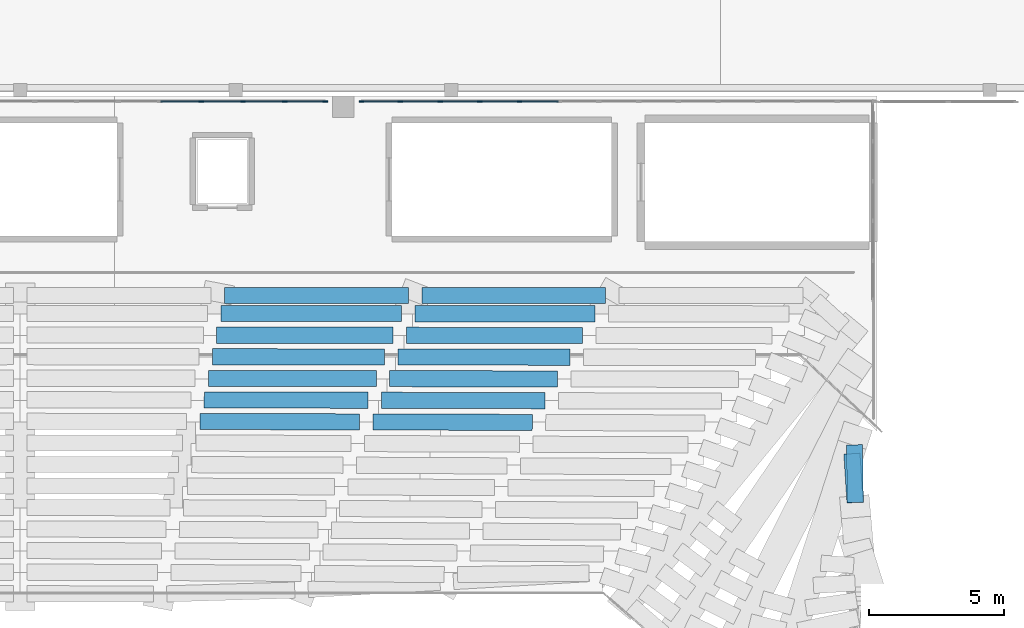
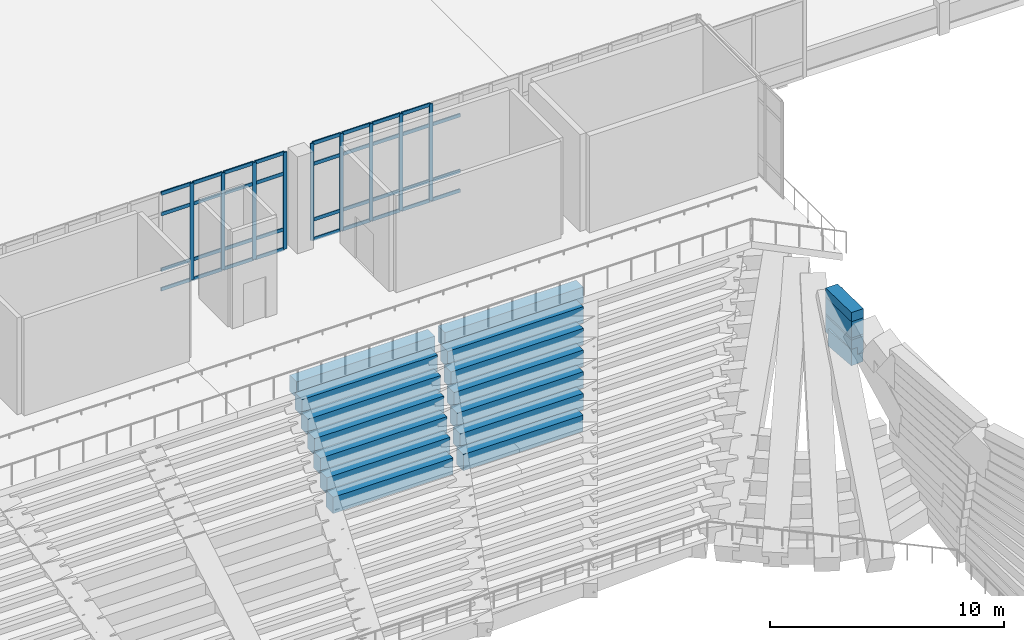
# One storey, part 27 of 55: 44 members, 19 beams, 2 elements without a shape of their own.
"""IFC4 building model written with IfcOpenShell, lengths in metres."""

from ifc_helpers import new_model, si_unit, derived_unit, direction, frame, origin, origin_2d, place, context, subcontext, project, spatial, rectangle, extrude, material, layer, layer_set, material_profile, profile_set, type_object, element, aggregate, save


model = new_model("IFC4")

# Units and contexts
model_context = context("Model", 3, precision=1e-05, world=origin(), true_north=direction((0.0, 1.0)))
body_context = subcontext(model_context, "Body", "Model", "MODEL_VIEW")
ifc_project = project(units=[si_unit("LENGTHUNIT", "METRE"), si_unit("AREAUNIT", "SQUARE_METRE"), si_unit("VOLUMEUNIT", "CUBIC_METRE"), si_unit("PLANEANGLEUNIT", "RADIAN"), si_unit("MASSUNIT", "GRAM", prefix="KILO"), derived_unit("THERMALTRANSMITTANCEUNIT", [(si_unit("MASSUNIT", "GRAM", prefix="KILO"), 1), (si_unit("TIMEUNIT", "SECOND"), -3), (si_unit("THERMODYNAMICTEMPERATUREUNIT", "KELVIN"), -1)])], contexts=[model_context])

# Site, building, storey
site_placement = place(None, origin())
site = spatial("IfcSite", under=ifc_project, at=site_placement, CompositionType="ELEMENT")
building_placement = place(site_placement, origin())
building = spatial("IfcBuilding", under=site, at=building_placement, Name="Valcora Ridge Arena", CompositionType="ELEMENT")
storey_placement = place(building_placement, frame((0.0, 0.0, 21.0)))
storey = spatial("IfcBuildingStorey", under=building, at=storey_placement, Name="L04", CompositionType="ELEMENT", Elevation=21.0)

# Beams
ifc_material_1 = material(Name="Concrete C40/50", Category="concrete")
ifc_material_profile_1 = material_profile(ifc_material_1, rectangle(XDim=0.60009765625, YDim=0.85009765625, at=origin_2d()), Name="RC 600x850")
ifc_profile_set_1 = profile_set([ifc_material_profile_1], Name="Concrete C40/50")
beam_type = type_object("IfcBeamType", Name="TY-BEAM-B-RC600-X", PredefinedType="BEAM", material=ifc_profile_set_1)
beam_1_placement = place(storey_placement, frame((77.009765625, 96.078125, -4.385009765625), z_axis=(-0.999994812156, 0.003221127208, 0.0), x_axis=(-0.003221127208, -0.999994812156, 0.0)))
element("IfcBeam", 1, at=beam_1_placement, inside=storey, type_object=beam_type, Name="B-RC600-X BEM-RU3-B-RC600-X-0357", PredefinedType="BEAM", context=body_context, shape_type="SweptSolid", body=[
    extrude(rectangle(XDim=0.60009765625, YDim=0.85009765625, at=origin_2d()), origin(), (0.0, 0.0, 1.0), 5.911865234375),
])
beam_2_placement = place(storey_placement, frame((70.597900390625, 96.098388671875, -4.385009765625), z_axis=(-0.999996836757, 0.002515248517, 0.0), x_axis=(-0.002515248517, -0.999996836757, 0.0)))
element("IfcBeam", 2, at=beam_2_placement, inside=storey, type_object=beam_type, Name="B-RC600-X BEM-RU3-B-RC600-X-0358", PredefinedType="BEAM", context=body_context, shape_type="SweptSolid", body=[
    extrude(rectangle(XDim=0.60009765625, YDim=0.85009765625, at=origin_2d()), origin(), (0.0, 0.0, 1.0), 5.9208984375),
])
beam_3_placement = place(storey_placement, frame((77.476806640625, 96.885009765625, -3.905029296875), z_axis=(-0.999996581566, 0.002614738236, 0.0), x_axis=(-0.002614738236, -0.999996581566, 0.0)))
element("IfcBeam", 3, at=beam_3_placement, inside=storey, type_object=beam_type, Name="B-RC600-X BEM-RU3-B-RC600-X-0387", PredefinedType="BEAM", context=body_context, shape_type="SweptSolid", body=[
    extrude(rectangle(XDim=0.60009765625, YDim=0.85009765625, at=origin_2d()), origin(), (0.0, 0.0, 1.0), 6.069091796875),
])
beam_4_placement = place(storey_placement, frame((70.90771484375, 96.902099609375, -3.905029296875), z_axis=(-0.999997982127, 0.002008915549, 0.0), x_axis=(-0.002008915549, -0.999997982127, 0.0)))
element("IfcBeam", 4, at=beam_4_placement, inside=storey, type_object=beam_type, Name="B-RC600-X BEM-RU3-B-RC600-X-0388", PredefinedType="BEAM", context=body_context, shape_type="SweptSolid", body=[
    extrude(rectangle(XDim=0.60009765625, YDim=0.85009765625, at=origin_2d()), origin(), (0.0, 0.0, 1.0), 6.076416015625),
])
beam_5_placement = place(storey_placement, frame((88.9921875, 93.103759765625, -3.425048828125), z_axis=(-0.064127468457, 0.997941715627, 0.0), x_axis=(-0.997941715627, -0.064127468457, 0.0)))
element("IfcBeam", 5, at=beam_5_placement, inside=storey, type_object=beam_type, Name="B-RC600-X BEM-RU3-B-RC600-X-0416", PredefinedType="BEAM", context=body_context, shape_type="SweptSolid", body=[
    extrude(rectangle(XDim=0.60009765625, YDim=0.85009765625, at=origin_2d()), origin(), (0.0, 0.0, 1.0), 1.81591796875),
])
beam_6_placement = place(storey_placement, frame((77.943603515625, 97.692138671875, -3.425048828125), z_axis=(-0.999997920969, 0.002039131481, 0.0), x_axis=(-0.002039131481, -0.999997920969, 0.0)))
element("IfcBeam", 6, at=beam_6_placement, inside=storey, type_object=beam_type, Name="B-RC600-X BEM-RU3-B-RC600-X-0419", PredefinedType="BEAM", context=body_context, shape_type="SweptSolid", body=[
    extrude(rectangle(XDim=0.60009765625, YDim=0.85009765625, at=origin_2d()), origin(), (0.0, 0.0, 1.0), 6.225830078125),
])
beam_7_placement = place(storey_placement, frame((71.2177734375, 97.705810546875, -3.425048828125), z_axis=(-0.999998772211, 0.001567027771, 0.0), x_axis=(-0.001567027771, -0.999998772211, 0.0)))
element("IfcBeam", 7, at=beam_7_placement, inside=storey, type_object=beam_type, Name="B-RC600-X BEM-RU3-B-RC600-X-0420", PredefinedType="BEAM", context=body_context, shape_type="SweptSolid", body=[
    extrude(rectangle(XDim=0.60009765625, YDim=0.85009765625, at=origin_2d()), origin(), (0.0, 0.0, 1.0), 6.23193359375),
])
beam_8_placement = place(storey_placement, frame((89.00439453125, 93.104248046875, -2.945068359375), z_axis=(-0.015601745455, 0.999878285362, 0.0), x_axis=(-0.999878285362, -0.015601745455, 0.0)))
element("IfcBeam", 8, at=beam_8_placement, inside=storey, type_object=beam_type, Name="B-RC600-X BEM-RU3-B-RC600-X-0448", PredefinedType="BEAM", context=body_context, shape_type="SweptSolid", body=[
    extrude(rectangle(XDim=0.60009765625, YDim=0.85009765625, at=origin_2d()), origin(), (0.0, 0.0, 1.0), 2.143798828125),
])
beam_9_placement = place(storey_placement, frame((78.41064453125, 98.4990234375, -2.945068359375), z_axis=(-0.999998887361, 0.001491736406, 0.0), x_axis=(-0.001491736406, -0.999998887361, 0.0)))
element("IfcBeam", 9, at=beam_9_placement, inside=storey, type_object=beam_type, Name="B-RC600-X BEM-RU3-B-RC600-X-0451", PredefinedType="BEAM", context=body_context, shape_type="SweptSolid", body=[
    extrude(rectangle(XDim=0.60009765625, YDim=0.85009765625, at=origin_2d()), origin(), (0.0, 0.0, 1.0), 6.3828125),
])
beam_10_placement = place(storey_placement, frame((71.52783203125, 98.50927734375, -2.945068359375), z_axis=(-0.999999342589, 0.00114665674, 0.0), x_axis=(-0.00114665674, -0.999999342589, 0.0)))
element("IfcBeam", 10, at=beam_10_placement, inside=storey, type_object=beam_type, Name="B-RC600-X BEM-RU3-B-RC600-X-0452", PredefinedType="BEAM", context=body_context, shape_type="SweptSolid", body=[
    extrude(rectangle(XDim=0.60009765625, YDim=0.85009765625, at=origin_2d()), origin(), (0.0, 0.0, 1.0), 6.387451171875),
])
beam_11_placement = place(storey_placement, frame((89.00439453125, 93.104248046875, -2.465087890625), z_axis=(-0.015601745455, 0.999878285362, 0.0), x_axis=(-0.999878285362, -0.015601745455, 0.0)))
element("IfcBeam", 11, at=beam_11_placement, inside=storey, type_object=beam_type, Name="B-RC600-X BEM-RU3-B-RC600-X-0480", PredefinedType="BEAM", context=body_context, shape_type="SweptSolid", body=[
    extrude(rectangle(XDim=0.60009765625, YDim=0.85009765625, at=origin_2d()), origin(), (0.0, 0.0, 1.0), 2.143798828125),
])
beam_12_placement = place(storey_placement, frame((78.877685546875, 99.30615234375, -2.465087890625), z_axis=(-0.999999528949, 0.00097061962, 0.0), x_axis=(-0.00097061962, -0.999999528949, 0.0)))
element("IfcBeam", 12, at=beam_12_placement, inside=storey, type_object=beam_type, Name="B-RC600-X BEM-RU3-B-RC600-X-0483", PredefinedType="BEAM", context=body_context, shape_type="SweptSolid", body=[
    extrude(rectangle(XDim=0.60009765625, YDim=0.85009765625, at=origin_2d()), origin(), (0.0, 0.0, 1.0), 6.539794921875),
])
beam_13_placement = place(storey_placement, frame((71.837890625, 99.31298828125, -2.465087890625), z_axis=(-0.999999721542, 0.000746268449, 0.0), x_axis=(-0.000746268449, -0.999999721542, 0.0)))
element("IfcBeam", 13, at=beam_13_placement, inside=storey, type_object=beam_type, Name="B-RC600-X BEM-RU3-B-RC600-X-0484", PredefinedType="BEAM", context=body_context, shape_type="SweptSolid", body=[
    extrude(rectangle(XDim=0.60009765625, YDim=0.85009765625, at=origin_2d()), origin(), (0.0, 0.0, 1.0), 6.54296875),
])
beam_14_placement = place(storey_placement, frame((89.00439453125, 93.104248046875, -1.985107421875), z_axis=(-0.015601745455, 0.999878285362, 0.0), x_axis=(-0.999878285362, -0.015601745455, 0.0)))
element("IfcBeam", 14, at=beam_14_placement, inside=storey, type_object=beam_type, Name="B-RC600-X BEM-RU3-B-RC600-X-0512", PredefinedType="BEAM", context=body_context, shape_type="SweptSolid", body=[
    extrude(rectangle(XDim=0.60009765625, YDim=0.85009765625, at=origin_2d()), origin(), (0.0, 0.0, 1.0), 2.143798828125),
])
beam_15_placement = place(storey_placement, frame((79.3447265625, 100.113037109375, -1.985107421875), z_axis=(-0.999999887702, 0.000473916319, 0.0), x_axis=(-0.000473916319, -0.999999887702, 0.0)))
element("IfcBeam", 15, at=beam_15_placement, inside=storey, type_object=beam_type, Name="B-RC600-X BEM-RU3-B-RC600-X-0515", PredefinedType="BEAM", context=body_context, shape_type="SweptSolid", body=[
    extrude(rectangle(XDim=0.60009765625, YDim=0.85009765625, at=origin_2d()), origin(), (0.0, 0.0, 1.0), 6.697021484375),
])
beam_16_placement = place(storey_placement, frame((72.147705078125, 100.116455078125, -1.985107421875), z_axis=(-0.999999933575, 0.000364484595, 0.0), x_axis=(-0.000364484595, -0.999999933575, 0.0)))
element("IfcBeam", 16, at=beam_16_placement, inside=storey, type_object=beam_type, Name="B-RC600-X BEM-RU3-B-RC600-X-0516", PredefinedType="BEAM", context=body_context, shape_type="SweptSolid", body=[
    extrude(rectangle(XDim=0.60009765625, YDim=0.85009765625, at=origin_2d()), origin(), (0.0, 0.0, 1.0), 6.6982421875),
])
beam_17_placement = place(storey_placement, frame((89.00439453125, 93.104248046875, -1.5048828125), z_axis=(-0.015601745455, 0.999878285362, 0.0), x_axis=(-0.999878285362, -0.015601745455, 0.0)))
element("IfcBeam", 17, at=beam_17_placement, inside=storey, type_object=beam_type, Name="B-RC600-X BEM-RU3-B-RC600-X-0544", PredefinedType="BEAM", context=body_context, shape_type="SweptSolid", body=[
    extrude(rectangle(XDim=0.60009765625, YDim=0.85009765625, at=origin_2d()), origin(), (0.0, 0.0, 1.0), 2.143798828125),
])
beam_18_placement = place(storey_placement, frame((79.7373046875, 100.79150390625, -1.5048828125), z_axis=(-0.999999908012, -0.000428923719, 0.0), x_axis=(0.000428923719, -0.999999908012, 0.0)))
element("IfcBeam", 18, at=beam_18_placement, inside=storey, type_object=beam_type, Name="B-RC600-X BEM-RU3-B-RC600-X-0547", PredefinedType="BEAM", context=body_context, shape_type="SweptSolid", body=[
    extrude(rectangle(XDim=0.60009765625, YDim=0.85009765625, at=origin_2d()), origin(), (0.0, 0.0, 1.0), 6.830322265625),
])
beam_19_placement = place(storey_placement, frame((72.406982421875, 100.788330078125, -1.5048828125), z_axis=(-0.999999959099, -0.000286010499, 0.0), x_axis=(0.000286010499, -0.999999959099, 0.0)))
element("IfcBeam", 19, at=beam_19_placement, inside=storey, type_object=beam_type, Name="B-RC600-X BEM-RU3-B-RC600-X-0548", PredefinedType="BEAM", context=body_context, shape_type="SweptSolid", body=[
    extrude(rectangle(XDim=0.60009765625, YDim=0.85009765625, at=origin_2d()), origin(), (0.0, 0.0, 1.0), 6.828857421875),
])

# Curtain wall, members
ifc_material_2 = material(Name="Anodised dark bronze architectural aluminium 6063-T6", Category="aluminium")
ifc_layer_1 = layer(ifc_material_2, 0.179931640625, Name="Anodised dark bronze architectural aluminium 6063-T6")
ifc_layer_set_1 = layer_set([ifc_layer_1], Name="Anodised dark bronze architectural aluminium 6063-T6")
curtain_wall_type_1 = type_object("IfcCurtainWallType", Name="TY-CURTAINWALL-CW-V1-GOTH-247X51", PredefinedType="NOTDEFINED", material=ifc_layer_set_1)
curtain_wall_1_placement = place(storey_placement, origin())
curtain_wall_1 = element("IfcCurtainWall", 20, at=curtain_wall_1_placement, inside=storey, type_object=curtain_wall_type_1, Name="CW-V1-GOTH-247X51 CW-0159", PredefinedType="NOTDEFINED")
ifc_material_profile_2 = material_profile(ifc_material_2, rectangle(XDim=0.06005859375, YDim=0.179931640625, at=origin_2d()), Name="ALU MULLION 60x180")
ifc_profile_set_2 = profile_set([ifc_material_profile_2], Name="Anodised dark bronze architectural aluminium 6063-T6")
member_type_1 = type_object("IfcMemberType", Name="TY-MEM-CWM-60x180", PredefinedType="MULLION", material=ifc_profile_set_2)
member_1_placement = place(storey_placement, frame((64.72509765625, 108.0, 0.0), z_axis=(0.0, 0.0, 1.0), x_axis=(0.0, 1.0, 0.0)))
member_1 = element("IfcMember", 21, at=member_1_placement, type_object=member_type_1, Name="CW-0159/CWM-60x180/M13", PredefinedType="MULLION", context=body_context, shape_type="SweptSolid", body=[
    extrude(rectangle(XDim=0.06005859375, YDim=0.179931640625, at=origin_2d()), origin(), (0.0, 0.0, 1.0), 5.06005859375),
])
member_2_placement = place(storey_placement, frame((66.27001953125, 108.0, 0.0), z_axis=(0.0, 0.0, 1.0), x_axis=(0.0, 1.0, 0.0)))
member_2 = element("IfcMember", 22, at=member_2_placement, type_object=member_type_1, Name="CW-0159/CWM-60x180/M14", PredefinedType="MULLION", context=body_context, shape_type="SweptSolid", body=[
    extrude(rectangle(XDim=0.06005859375, YDim=0.179931640625, at=origin_2d()), origin(), (0.0, 0.0, 1.0), 5.06005859375),
])
member_3_placement = place(storey_placement, frame((67.81494140625, 108.0, 0.0), z_axis=(0.0, 0.0, 1.0), x_axis=(0.0, 1.0, 0.0)))
member_3 = element("IfcMember", 23, at=member_3_placement, type_object=member_type_1, Name="CW-0159/CWM-60x180/M15", PredefinedType="MULLION", context=body_context, shape_type="SweptSolid", body=[
    extrude(rectangle(XDim=0.06005859375, YDim=0.179931640625, at=origin_2d()), origin(), (0.0, 0.0, 1.0), 5.06005859375),
])
member_4_placement = place(storey_placement, frame((69.330078125, 108.0, 0.0), z_axis=(0.0, 0.0, 1.0), x_axis=(0.0, 1.0, 0.0)))
member_4 = element("IfcMember", 24, at=member_4_placement, type_object=member_type_1, Name="CW-0159/CWM-60x180/M16", PredefinedType="MULLION", context=body_context, shape_type="SweptSolid", body=[
    extrude(rectangle(XDim=0.06005859375, YDim=0.179931640625, at=origin_2d()), origin(), (0.0, 0.0, 1.0), 5.06005859375),
])

ifc_layer_2 = layer(ifc_material_2, 0.179931640625, Name="Anodised dark bronze architectural aluminium 6063-T6")
ifc_layer_set_2 = layer_set([ifc_layer_2], Name="Anodised dark bronze architectural aluminium 6063-T6")
curtain_wall_type_2 = type_object("IfcCurtainWallType", Name="TY-CURTAINWALL-CW-V1-GOTH-192X51", PredefinedType="NOTDEFINED", material=ifc_layer_set_2)
curtain_wall_2_placement = place(storey_placement, origin())
curtain_wall_2 = element("IfcCurtainWall", 25, at=curtain_wall_2_placement, inside=storey, type_object=curtain_wall_type_2, Name="CW-V1-GOTH-192X51 CW-0160", PredefinedType="NOTDEFINED")
member_5_placement = place(storey_placement, frame((70.669921875, 108.0, 0.0), z_axis=(0.0, 0.0, 1.0), x_axis=(0.0, 1.0, 0.0)))
member_5 = element("IfcMember", 26, at=member_5_placement, type_object=member_type_1, Name="CW-0160/CWM-60x180/M00", PredefinedType="MULLION", context=body_context, shape_type="SweptSolid", body=[
    extrude(rectangle(XDim=0.06005859375, YDim=0.179931640625, at=origin_2d()), origin(), (0.0, 0.0, 1.0), 5.06005859375),
])
member_6_placement = place(storey_placement, frame((72.11376953125, 108.0, 0.0), z_axis=(0.0, 0.0, 1.0), x_axis=(0.0, 1.0, 0.0)))
member_6 = element("IfcMember", 27, at=member_6_placement, type_object=member_type_1, Name="CW-0160/CWM-60x180/M01", PredefinedType="MULLION", context=body_context, shape_type="SweptSolid", body=[
    extrude(rectangle(XDim=0.06005859375, YDim=0.179931640625, at=origin_2d()), origin(), (0.0, 0.0, 1.0), 5.06005859375),
])
member_7_placement = place(storey_placement, frame((73.587646484375, 108.0, 0.0), z_axis=(0.0, 0.0, 1.0), x_axis=(0.0, 1.0, 0.0)))
member_7 = element("IfcMember", 28, at=member_7_placement, type_object=member_type_1, Name="CW-0160/CWM-60x180/M02", PredefinedType="MULLION", context=body_context, shape_type="SweptSolid", body=[
    extrude(rectangle(XDim=0.06005859375, YDim=0.179931640625, at=origin_2d()), origin(), (0.0, 0.0, 1.0), 5.06005859375),
])
member_8_placement = place(storey_placement, frame((75.0615234375, 108.0, 0.0), z_axis=(0.0, 0.0, 1.0), x_axis=(0.0, 1.0, 0.0)))
member_8 = element("IfcMember", 29, at=member_8_placement, type_object=member_type_1, Name="CW-0160/CWM-60x180/M03", PredefinedType="MULLION", context=body_context, shape_type="SweptSolid", body=[
    extrude(rectangle(XDim=0.06005859375, YDim=0.179931640625, at=origin_2d()), origin(), (0.0, 0.0, 1.0), 5.06005859375),
])
member_9_placement = place(storey_placement, frame((76.535400390625, 108.0, 0.0), z_axis=(0.0, 0.0, 1.0), x_axis=(0.0, 1.0, 0.0)))
member_9 = element("IfcMember", 30, at=member_9_placement, type_object=member_type_1, Name="CW-0160/CWM-60x180/M04", PredefinedType="MULLION", context=body_context, shape_type="SweptSolid", body=[
    extrude(rectangle(XDim=0.06005859375, YDim=0.179931640625, at=origin_2d()), origin(), (0.0, 0.0, 1.0), 5.06005859375),
])

# Member
ifc_material_profile_3 = material_profile(ifc_material_2, rectangle(XDim=0.06005859375, YDim=0.179931640625, at=origin_2d()), Name="ALU TRANSOM 60x180")
ifc_profile_set_3 = profile_set([ifc_material_profile_3], Name="Anodised dark bronze architectural aluminium 6063-T6")
member_type_2 = type_object("IfcMemberType", Name="TY-MEM-CWT-60x180", PredefinedType="USERDEFINED", material=ifc_profile_set_3)
member_10_placement = place(storey_placement, frame((63.2099609375, 108.0, 0.030029296875), z_axis=(1.0, 0.0, 0.0), x_axis=(0.0, 1.0, 0.0)))
member_10 = element("IfcMember", 31, at=member_10_placement, type_object=member_type_2, Name="CW-0159/CWT-60x180/T12-00", ObjectType="TRANSOM", PredefinedType="USERDEFINED", context=body_context, shape_type="SweptSolid", body=[
    extrude(rectangle(XDim=0.06005859375, YDim=0.179931640625, at=origin_2d()), origin(), (0.0, 0.0, 1.0), 1.485107421875),
])

member_11_placement = place(storey_placement, frame((63.2099609375, 108.0, 1.050048828125), z_axis=(1.0, 0.0, 0.0), x_axis=(0.0, 1.0, 0.0)))
member_11 = element("IfcMember", 32, at=member_11_placement, type_object=member_type_2, Name="CW-0159/CWT-60x180/T12-01", ObjectType="TRANSOM", PredefinedType="USERDEFINED", context=body_context, shape_type="SweptSolid", body=[
    extrude(rectangle(XDim=0.06005859375, YDim=0.179931640625, at=origin_2d()), origin(), (0.0, 0.0, 1.0), 1.485107421875),
])

member_12_placement = place(storey_placement, frame((63.2099609375, 108.0, 3.9599609375), z_axis=(1.0, 0.0, 0.0), x_axis=(0.0, 1.0, 0.0)))
member_12 = element("IfcMember", 33, at=member_12_placement, type_object=member_type_2, Name="CW-0159/CWT-60x180/T12-02", ObjectType="TRANSOM", PredefinedType="USERDEFINED", context=body_context, shape_type="SweptSolid", body=[
    extrude(rectangle(XDim=0.06005859375, YDim=0.179931640625, at=origin_2d()), origin(), (0.0, 0.0, 1.0), 1.485107421875),
])

member_13_placement = place(storey_placement, frame((63.2099609375, 108.0, 5.030029296875), z_axis=(1.0, 0.0, 0.0), x_axis=(0.0, 1.0, 0.0)))
member_13 = element("IfcMember", 34, at=member_13_placement, type_object=member_type_2, Name="CW-0159/CWT-60x180/T12-03", ObjectType="TRANSOM", PredefinedType="USERDEFINED", context=body_context, shape_type="SweptSolid", body=[
    extrude(rectangle(XDim=0.06005859375, YDim=0.179931640625, at=origin_2d()), origin(), (0.0, 0.0, 1.0), 1.485107421875),
])

member_14_placement = place(storey_placement, frame((64.7548828125, 108.0, 0.030029296875), z_axis=(1.0, 0.0, 0.0), x_axis=(0.0, 1.0, 0.0)))
member_14 = element("IfcMember", 35, at=member_14_placement, type_object=member_type_2, Name="CW-0159/CWT-60x180/T13-00", ObjectType="TRANSOM", PredefinedType="USERDEFINED", context=body_context, shape_type="SweptSolid", body=[
    extrude(rectangle(XDim=0.06005859375, YDim=0.179931640625, at=origin_2d()), origin(), (0.0, 0.0, 1.0), 1.485107421875),
])

member_15_placement = place(storey_placement, frame((64.7548828125, 108.0, 1.050048828125), z_axis=(1.0, 0.0, 0.0), x_axis=(0.0, 1.0, 0.0)))
member_15 = element("IfcMember", 36, at=member_15_placement, type_object=member_type_2, Name="CW-0159/CWT-60x180/T13-01", ObjectType="TRANSOM", PredefinedType="USERDEFINED", context=body_context, shape_type="SweptSolid", body=[
    extrude(rectangle(XDim=0.06005859375, YDim=0.179931640625, at=origin_2d()), origin(), (0.0, 0.0, 1.0), 1.485107421875),
])

member_16_placement = place(storey_placement, frame((64.7548828125, 108.0, 3.9599609375), z_axis=(1.0, 0.0, 0.0), x_axis=(0.0, 1.0, 0.0)))
member_16 = element("IfcMember", 37, at=member_16_placement, type_object=member_type_2, Name="CW-0159/CWT-60x180/T13-02", ObjectType="TRANSOM", PredefinedType="USERDEFINED", context=body_context, shape_type="SweptSolid", body=[
    extrude(rectangle(XDim=0.06005859375, YDim=0.179931640625, at=origin_2d()), origin(), (0.0, 0.0, 1.0), 1.485107421875),
])

member_17_placement = place(storey_placement, frame((64.7548828125, 108.0, 5.030029296875), z_axis=(1.0, 0.0, 0.0), x_axis=(0.0, 1.0, 0.0)))
member_17 = element("IfcMember", 38, at=member_17_placement, type_object=member_type_2, Name="CW-0159/CWT-60x180/T13-03", ObjectType="TRANSOM", PredefinedType="USERDEFINED", context=body_context, shape_type="SweptSolid", body=[
    extrude(rectangle(XDim=0.06005859375, YDim=0.179931640625, at=origin_2d()), origin(), (0.0, 0.0, 1.0), 1.485107421875),
])

member_18_placement = place(storey_placement, frame((66.300048828125, 108.0, 0.030029296875), z_axis=(1.0, 0.0, 0.0), x_axis=(0.0, 1.0, 0.0)))
member_18 = element("IfcMember", 39, at=member_18_placement, type_object=member_type_2, Name="CW-0159/CWT-60x180/T14-00", ObjectType="TRANSOM", PredefinedType="USERDEFINED", context=body_context, shape_type="SweptSolid", body=[
    extrude(rectangle(XDim=0.06005859375, YDim=0.179931640625, at=origin_2d()), origin(), (0.0, 0.0, 1.0), 1.48486328125),
])

member_19_placement = place(storey_placement, frame((66.300048828125, 108.0, 1.050048828125), z_axis=(1.0, 0.0, 0.0), x_axis=(0.0, 1.0, 0.0)))
member_19 = element("IfcMember", 40, at=member_19_placement, type_object=member_type_2, Name="CW-0159/CWT-60x180/T14-01", ObjectType="TRANSOM", PredefinedType="USERDEFINED", context=body_context, shape_type="SweptSolid", body=[
    extrude(rectangle(XDim=0.06005859375, YDim=0.179931640625, at=origin_2d()), origin(), (0.0, 0.0, 1.0), 1.48486328125),
])

member_20_placement = place(storey_placement, frame((66.300048828125, 108.0, 3.9599609375), z_axis=(1.0, 0.0, 0.0), x_axis=(0.0, 1.0, 0.0)))
member_20 = element("IfcMember", 41, at=member_20_placement, type_object=member_type_2, Name="CW-0159/CWT-60x180/T14-02", ObjectType="TRANSOM", PredefinedType="USERDEFINED", context=body_context, shape_type="SweptSolid", body=[
    extrude(rectangle(XDim=0.06005859375, YDim=0.179931640625, at=origin_2d()), origin(), (0.0, 0.0, 1.0), 1.48486328125),
])

member_21_placement = place(storey_placement, frame((66.300048828125, 108.0, 5.030029296875), z_axis=(1.0, 0.0, 0.0), x_axis=(0.0, 1.0, 0.0)))
member_21 = element("IfcMember", 42, at=member_21_placement, type_object=member_type_2, Name="CW-0159/CWT-60x180/T14-03", ObjectType="TRANSOM", PredefinedType="USERDEFINED", context=body_context, shape_type="SweptSolid", body=[
    extrude(rectangle(XDim=0.06005859375, YDim=0.179931640625, at=origin_2d()), origin(), (0.0, 0.0, 1.0), 1.48486328125),
])

member_22_placement = place(storey_placement, frame((67.844970703125, 108.0, 0.030029296875), z_axis=(1.0, 0.0, 0.0), x_axis=(0.0, 1.0, 0.0)))
member_22 = element("IfcMember", 43, at=member_22_placement, type_object=member_type_2, Name="CW-0159/CWT-60x180/T15-00", ObjectType="TRANSOM", PredefinedType="USERDEFINED", context=body_context, shape_type="SweptSolid", body=[
    extrude(rectangle(XDim=0.06005859375, YDim=0.179931640625, at=origin_2d()), origin(), (0.0, 0.0, 1.0), 1.455078125),
])

member_23_placement = place(storey_placement, frame((67.844970703125, 108.0, 1.050048828125), z_axis=(1.0, 0.0, 0.0), x_axis=(0.0, 1.0, 0.0)))
member_23 = element("IfcMember", 44, at=member_23_placement, type_object=member_type_2, Name="CW-0159/CWT-60x180/T15-01", ObjectType="TRANSOM", PredefinedType="USERDEFINED", context=body_context, shape_type="SweptSolid", body=[
    extrude(rectangle(XDim=0.06005859375, YDim=0.179931640625, at=origin_2d()), origin(), (0.0, 0.0, 1.0), 1.455078125),
])

member_24_placement = place(storey_placement, frame((67.844970703125, 108.0, 3.9599609375), z_axis=(1.0, 0.0, 0.0), x_axis=(0.0, 1.0, 0.0)))
member_24 = element("IfcMember", 45, at=member_24_placement, type_object=member_type_2, Name="CW-0159/CWT-60x180/T15-02", ObjectType="TRANSOM", PredefinedType="USERDEFINED", context=body_context, shape_type="SweptSolid", body=[
    extrude(rectangle(XDim=0.06005859375, YDim=0.179931640625, at=origin_2d()), origin(), (0.0, 0.0, 1.0), 1.455078125),
])

member_25_placement = place(storey_placement, frame((67.844970703125, 108.0, 5.030029296875), z_axis=(1.0, 0.0, 0.0), x_axis=(0.0, 1.0, 0.0)))
member_25 = element("IfcMember", 46, at=member_25_placement, type_object=member_type_2, Name="CW-0159/CWT-60x180/T15-03", ObjectType="TRANSOM", PredefinedType="USERDEFINED", context=body_context, shape_type="SweptSolid", body=[
    extrude(rectangle(XDim=0.06005859375, YDim=0.179931640625, at=origin_2d()), origin(), (0.0, 0.0, 1.0), 1.455078125),
])

aggregate(curtain_wall_1, [member_1, member_2, member_3, member_4, member_10, member_11, member_12, member_13, member_14, member_15, member_16, member_17, member_18, member_19, member_20, member_21, member_22, member_23, member_24, member_25])

member_26_placement = place(storey_placement, frame((70.699951171875, 108.0, 0.030029296875), z_axis=(1.0, 0.0, 0.0), x_axis=(0.0, 1.0, 0.0)))
member_26 = element("IfcMember", 47, at=member_26_placement, type_object=member_type_2, Name="CW-0160/CWT-60x180/T00-00", ObjectType="TRANSOM", PredefinedType="USERDEFINED", context=body_context, shape_type="SweptSolid", body=[
    extrude(rectangle(XDim=0.06005859375, YDim=0.179931640625, at=origin_2d()), origin(), (0.0, 0.0, 1.0), 1.384033203125),
])

member_27_placement = place(storey_placement, frame((70.699951171875, 108.0, 1.050048828125), z_axis=(1.0, 0.0, 0.0), x_axis=(0.0, 1.0, 0.0)))
member_27 = element("IfcMember", 48, at=member_27_placement, type_object=member_type_2, Name="CW-0160/CWT-60x180/T00-01", ObjectType="TRANSOM", PredefinedType="USERDEFINED", context=body_context, shape_type="SweptSolid", body=[
    extrude(rectangle(XDim=0.06005859375, YDim=0.179931640625, at=origin_2d()), origin(), (0.0, 0.0, 1.0), 1.384033203125),
])

member_28_placement = place(storey_placement, frame((70.699951171875, 108.0, 3.9599609375), z_axis=(1.0, 0.0, 0.0), x_axis=(0.0, 1.0, 0.0)))
member_28 = element("IfcMember", 49, at=member_28_placement, type_object=member_type_2, Name="CW-0160/CWT-60x180/T00-02", ObjectType="TRANSOM", PredefinedType="USERDEFINED", context=body_context, shape_type="SweptSolid", body=[
    extrude(rectangle(XDim=0.06005859375, YDim=0.179931640625, at=origin_2d()), origin(), (0.0, 0.0, 1.0), 1.384033203125),
])

member_29_placement = place(storey_placement, frame((70.699951171875, 108.0, 5.030029296875), z_axis=(1.0, 0.0, 0.0), x_axis=(0.0, 1.0, 0.0)))
member_29 = element("IfcMember", 50, at=member_29_placement, type_object=member_type_2, Name="CW-0160/CWT-60x180/T00-03", ObjectType="TRANSOM", PredefinedType="USERDEFINED", context=body_context, shape_type="SweptSolid", body=[
    extrude(rectangle(XDim=0.06005859375, YDim=0.179931640625, at=origin_2d()), origin(), (0.0, 0.0, 1.0), 1.384033203125),
])

member_30_placement = place(storey_placement, frame((72.14404296875, 108.0, 0.030029296875), z_axis=(1.0, 0.0, 0.0), x_axis=(0.0, 1.0, 0.0)))
member_30 = element("IfcMember", 51, at=member_30_placement, type_object=member_type_2, Name="CW-0160/CWT-60x180/T01-00", ObjectType="TRANSOM", PredefinedType="USERDEFINED", context=body_context, shape_type="SweptSolid", body=[
    extrude(rectangle(XDim=0.06005859375, YDim=0.179931640625, at=origin_2d()), origin(), (0.0, 0.0, 1.0), 1.4140625),
])

member_31_placement = place(storey_placement, frame((72.14404296875, 108.0, 1.050048828125), z_axis=(1.0, 0.0, 0.0), x_axis=(0.0, 1.0, 0.0)))
member_31 = element("IfcMember", 52, at=member_31_placement, type_object=member_type_2, Name="CW-0160/CWT-60x180/T01-01", ObjectType="TRANSOM", PredefinedType="USERDEFINED", context=body_context, shape_type="SweptSolid", body=[
    extrude(rectangle(XDim=0.06005859375, YDim=0.179931640625, at=origin_2d()), origin(), (0.0, 0.0, 1.0), 1.4140625),
])

member_32_placement = place(storey_placement, frame((72.14404296875, 108.0, 3.9599609375), z_axis=(1.0, 0.0, 0.0), x_axis=(0.0, 1.0, 0.0)))
member_32 = element("IfcMember", 53, at=member_32_placement, type_object=member_type_2, Name="CW-0160/CWT-60x180/T01-02", ObjectType="TRANSOM", PredefinedType="USERDEFINED", context=body_context, shape_type="SweptSolid", body=[
    extrude(rectangle(XDim=0.06005859375, YDim=0.179931640625, at=origin_2d()), origin(), (0.0, 0.0, 1.0), 1.4140625),
])

member_33_placement = place(storey_placement, frame((72.14404296875, 108.0, 5.030029296875), z_axis=(1.0, 0.0, 0.0), x_axis=(0.0, 1.0, 0.0)))
member_33 = element("IfcMember", 54, at=member_33_placement, type_object=member_type_2, Name="CW-0160/CWT-60x180/T01-03", ObjectType="TRANSOM", PredefinedType="USERDEFINED", context=body_context, shape_type="SweptSolid", body=[
    extrude(rectangle(XDim=0.06005859375, YDim=0.179931640625, at=origin_2d()), origin(), (0.0, 0.0, 1.0), 1.4140625),
])

member_34_placement = place(storey_placement, frame((73.617919921875, 108.0, 0.030029296875), z_axis=(1.0, 0.0, 0.0), x_axis=(0.0, 1.0, 0.0)))
member_34 = element("IfcMember", 55, at=member_34_placement, type_object=member_type_2, Name="CW-0160/CWT-60x180/T02-00", ObjectType="TRANSOM", PredefinedType="USERDEFINED", context=body_context, shape_type="SweptSolid", body=[
    extrude(rectangle(XDim=0.06005859375, YDim=0.179931640625, at=origin_2d()), origin(), (0.0, 0.0, 1.0), 1.4140625),
])

member_35_placement = place(storey_placement, frame((73.617919921875, 108.0, 1.050048828125), z_axis=(1.0, 0.0, 0.0), x_axis=(0.0, 1.0, 0.0)))
member_35 = element("IfcMember", 56, at=member_35_placement, type_object=member_type_2, Name="CW-0160/CWT-60x180/T02-01", ObjectType="TRANSOM", PredefinedType="USERDEFINED", context=body_context, shape_type="SweptSolid", body=[
    extrude(rectangle(XDim=0.06005859375, YDim=0.179931640625, at=origin_2d()), origin(), (0.0, 0.0, 1.0), 1.4140625),
])

member_36_placement = place(storey_placement, frame((73.617919921875, 108.0, 3.9599609375), z_axis=(1.0, 0.0, 0.0), x_axis=(0.0, 1.0, 0.0)))
member_36 = element("IfcMember", 57, at=member_36_placement, type_object=member_type_2, Name="CW-0160/CWT-60x180/T02-02", ObjectType="TRANSOM", PredefinedType="USERDEFINED", context=body_context, shape_type="SweptSolid", body=[
    extrude(rectangle(XDim=0.06005859375, YDim=0.179931640625, at=origin_2d()), origin(), (0.0, 0.0, 1.0), 1.4140625),
])

member_37_placement = place(storey_placement, frame((73.617919921875, 108.0, 5.030029296875), z_axis=(1.0, 0.0, 0.0), x_axis=(0.0, 1.0, 0.0)))
member_37 = element("IfcMember", 58, at=member_37_placement, type_object=member_type_2, Name="CW-0160/CWT-60x180/T02-03", ObjectType="TRANSOM", PredefinedType="USERDEFINED", context=body_context, shape_type="SweptSolid", body=[
    extrude(rectangle(XDim=0.06005859375, YDim=0.179931640625, at=origin_2d()), origin(), (0.0, 0.0, 1.0), 1.4140625),
])

member_38_placement = place(storey_placement, frame((75.092041015625, 108.0, 0.030029296875), z_axis=(1.0, 0.0, 0.0), x_axis=(0.0, 1.0, 0.0)))
member_38 = element("IfcMember", 59, at=member_38_placement, type_object=member_type_2, Name="CW-0160/CWT-60x180/T03-00", ObjectType="TRANSOM", PredefinedType="USERDEFINED", context=body_context, shape_type="SweptSolid", body=[
    extrude(rectangle(XDim=0.06005859375, YDim=0.179931640625, at=origin_2d()), origin(), (0.0, 0.0, 1.0), 1.412841796875),
])

member_39_placement = place(storey_placement, frame((75.092041015625, 108.0, 1.050048828125), z_axis=(1.0, 0.0, 0.0), x_axis=(0.0, 1.0, 0.0)))
member_39 = element("IfcMember", 60, at=member_39_placement, type_object=member_type_2, Name="CW-0160/CWT-60x180/T03-01", ObjectType="TRANSOM", PredefinedType="USERDEFINED", context=body_context, shape_type="SweptSolid", body=[
    extrude(rectangle(XDim=0.06005859375, YDim=0.179931640625, at=origin_2d()), origin(), (0.0, 0.0, 1.0), 1.412841796875),
])

member_40_placement = place(storey_placement, frame((75.092041015625, 108.0, 3.9599609375), z_axis=(1.0, 0.0, 0.0), x_axis=(0.0, 1.0, 0.0)))
member_40 = element("IfcMember", 61, at=member_40_placement, type_object=member_type_2, Name="CW-0160/CWT-60x180/T03-02", ObjectType="TRANSOM", PredefinedType="USERDEFINED", context=body_context, shape_type="SweptSolid", body=[
    extrude(rectangle(XDim=0.06005859375, YDim=0.179931640625, at=origin_2d()), origin(), (0.0, 0.0, 1.0), 1.412841796875),
])

member_41_placement = place(storey_placement, frame((75.092041015625, 108.0, 5.030029296875), z_axis=(1.0, 0.0, 0.0), x_axis=(0.0, 1.0, 0.0)))
member_41 = element("IfcMember", 62, at=member_41_placement, type_object=member_type_2, Name="CW-0160/CWT-60x180/T03-03", ObjectType="TRANSOM", PredefinedType="USERDEFINED", context=body_context, shape_type="SweptSolid", body=[
    extrude(rectangle(XDim=0.06005859375, YDim=0.179931640625, at=origin_2d()), origin(), (0.0, 0.0, 1.0), 1.412841796875),
])

member_42_placement = place(storey_placement, frame((76.56494140625, 108.0, 0.030029296875), z_axis=(1.0, 0.0, 0.0), x_axis=(0.0, 1.0, 0.0)))
member_42 = element("IfcMember", 63, at=member_42_placement, type_object=member_type_2, Name="CW-0160/CWT-60x180/T04-00", ObjectType="TRANSOM", PredefinedType="USERDEFINED", context=body_context, shape_type="SweptSolid", body=[
    extrude(rectangle(XDim=0.06005859375, YDim=0.179931640625, at=origin_2d()), origin(), (0.0, 0.0, 1.0), 1.4140625),
])

member_43_placement = place(storey_placement, frame((76.56494140625, 108.0, 1.050048828125), z_axis=(1.0, 0.0, 0.0), x_axis=(0.0, 1.0, 0.0)))
member_43 = element("IfcMember", 64, at=member_43_placement, type_object=member_type_2, Name="CW-0160/CWT-60x180/T04-01", ObjectType="TRANSOM", PredefinedType="USERDEFINED", context=body_context, shape_type="SweptSolid", body=[
    extrude(rectangle(XDim=0.06005859375, YDim=0.179931640625, at=origin_2d()), origin(), (0.0, 0.0, 1.0), 1.4140625),
])

member_44_placement = place(storey_placement, frame((76.56494140625, 108.0, 3.9599609375), z_axis=(1.0, 0.0, 0.0), x_axis=(0.0, 1.0, 0.0)))
member_44 = element("IfcMember", 65, at=member_44_placement, type_object=member_type_2, Name="CW-0160/CWT-60x180/T04-02", ObjectType="TRANSOM", PredefinedType="USERDEFINED", context=body_context, shape_type="SweptSolid", body=[
    extrude(rectangle(XDim=0.06005859375, YDim=0.179931640625, at=origin_2d()), origin(), (0.0, 0.0, 1.0), 1.4140625),
])

aggregate(curtain_wall_2, [member_5, member_6, member_7, member_8, member_9, member_26, member_27, member_28, member_29, member_30, member_31, member_32, member_33, member_34, member_35, member_36, member_37, member_38, member_39, member_40, member_41, member_42, member_43, member_44])

save(model, "model.ifc")
